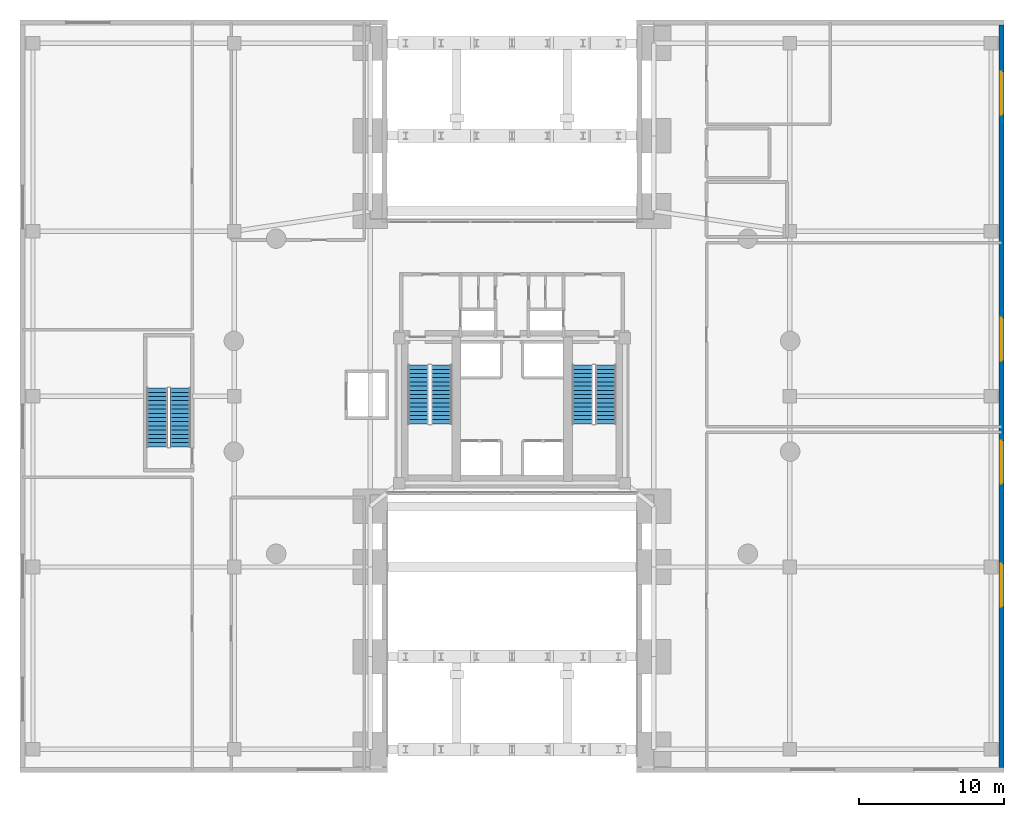
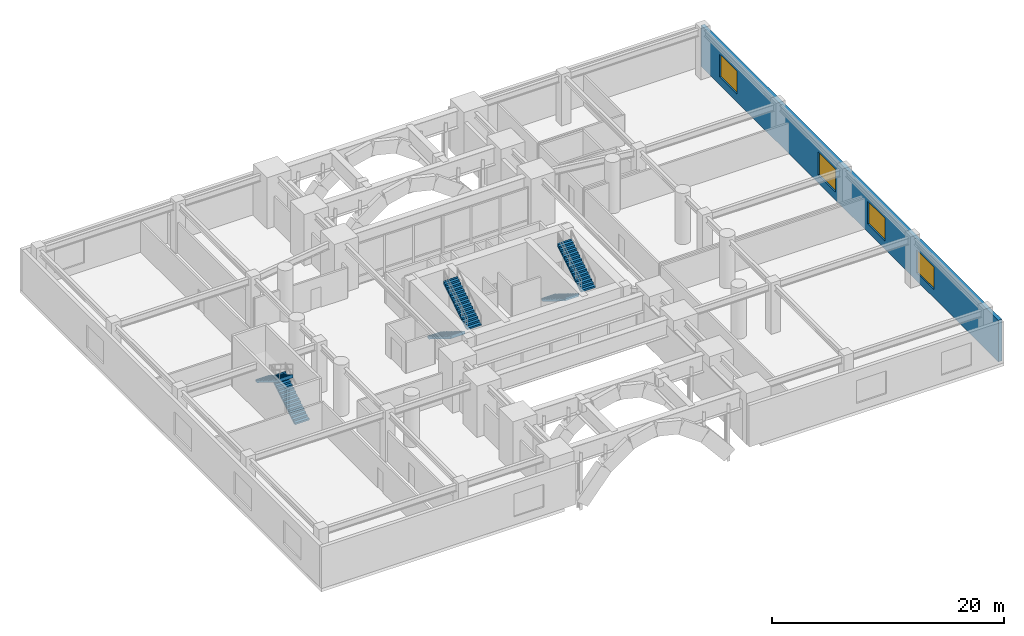
# One storey, part 16 of 18: 6 stair flights, 4 windows, 1 wall, 4 openings, 3 elements without a shape of their own.
"""IFC4 building model written with IfcOpenShell, lengths in metres."""

from ifc_helpers import new_model, si_unit, direction, frame, frame_2d, origin, place, context, subcontext, project, spatial, polyline, rectangle, outline, extrude, material, layer, layer_set, type_object, element, fill, aggregate, save


model = new_model("IFC4")

# Units and contexts
model_context = context("Model", 3, precision=1e-05, world=origin(), true_north=direction((0.0, 1.0)))
body_context = subcontext(model_context, "Body", "Model", "MODEL_VIEW")
ifc_project = project(units=[si_unit("LENGTHUNIT", "METRE"), si_unit("AREAUNIT", "SQUARE_METRE"), si_unit("VOLUMEUNIT", "CUBIC_METRE"), si_unit("PLANEANGLEUNIT", "RADIAN"), si_unit("MASSUNIT", "GRAM", prefix="KILO"), si_unit("THERMODYNAMICTEMPERATUREUNIT", "KELVIN"), si_unit("POWERUNIT", "WATT")], contexts=[model_context])

# Site, building, storey
site_placement = place(None, origin())
site = spatial("IfcSite", under=ifc_project, at=site_placement, CompositionType="ELEMENT")
building_placement = place(site_placement, origin())
building = spatial("IfcBuilding", under=site, at=building_placement, Name="Ocrelia Relay Tower", CompositionType="ELEMENT")
storey_placement = place(building_placement, frame((0.0, 0.0, 10.199951171875)))
storey = spatial("IfcBuildingStorey", under=building, at=storey_placement, Name="L02", CompositionType="ELEMENT", Elevation=10.199951171875)

# Wall, openings, windows
ifc_material_1 = material(Name="Precast concrete C40/50 with oxide terracotta", Category="masonry")
ifc_layer = layer(ifc_material_1, 0.35009765625, Name="Precast concrete C40/50 with oxide terracotta")
ifc_layer_set = layer_set([ifc_layer], Name="Precast concrete C40/50 with oxide terracotta")
wall_type = type_object("IfcWallType", Name="W-EXT-POD-350", PredefinedType="SOLIDWALL", material=ifc_layer_set)
wall_placement = place(storey_placement, frame((67.820068359375, 51.639892578125, 0.0), z_axis=(0.0, 0.0, 1.0), x_axis=(0.0, -1.0, 0.0)))
wall = element("IfcWall", 1, at=wall_placement, inside=storey, type_object=wall_type, Name="L02 Oxide Terracotta Podium Wall EE", PredefinedType="SOLIDWALL", context=body_context, shape_type="SweptSolid", body=[
    extrude(rectangle(XDim=51.27978515625, YDim=0.35009765625, at=frame_2d((25.639892578125, 0.0))), origin(), (0.0, 0.0, 1.0), 4.360107421875),
])
opening_1_placement = place(wall_placement, frame((3.199951171875, 0.0, 0.85009765625)))
opening_1 = element("IfcOpeningElement", 2, at=opening_1_placement, cuts=wall, Name="Opening W-05", PredefinedType="OPENING", context=body_context, shape_type="SweptSolid", body=[
    extrude(rectangle(XDim=3.0, YDim=2.39990234375, at=frame_2d((1.5, 1.199951171875))), frame((0.0, 0.18505859375, 0.0), z_axis=(0.0, -1.0, 0.0), x_axis=(1.0, 0.0, 0.0)), (0.0, 0.0, 1.0), 0.3701171875),
])
opening_2_placement = place(wall_placement, frame((20.199951171875, 0.0, 0.85009765625)))
opening_2 = element("IfcOpeningElement", 3, at=opening_2_placement, cuts=wall, Name="Opening W-05", PredefinedType="OPENING", context=body_context, shape_type="SweptSolid", body=[
    extrude(rectangle(XDim=3.0, YDim=2.39990234375, at=frame_2d((1.5, 1.199951171875))), frame((0.0, 0.18505859375, 0.0), z_axis=(0.0, -1.0, 0.0), x_axis=(1.0, 0.0, 0.0)), (0.0, 0.0, 1.0), 0.3701171875),
])
opening_3_placement = place(wall_placement, frame((28.699951171875, 0.0, 0.85009765625)))
opening_3 = element("IfcOpeningElement", 4, at=opening_3_placement, cuts=wall, Name="Opening W-05", PredefinedType="OPENING", context=body_context, shape_type="SweptSolid", body=[
    extrude(rectangle(XDim=3.0, YDim=2.39990234375, at=frame_2d((1.5, 1.199951171875))), frame((0.0, 0.18505859375, 0.0), z_axis=(0.0, -1.0, 0.0), x_axis=(1.0, 0.0, 0.0)), (0.0, 0.0, 1.0), 0.3701171875),
])
opening_4_placement = place(wall_placement, frame((37.199951171875, 0.0, 0.85009765625)))
opening_4 = element("IfcOpeningElement", 5, at=opening_4_placement, cuts=wall, Name="Opening W-05", PredefinedType="OPENING", context=body_context, shape_type="SweptSolid", body=[
    extrude(rectangle(XDim=3.0, YDim=2.39990234375, at=frame_2d((1.5, 1.199951171875))), frame((0.0, 0.18505859375, 0.0), z_axis=(0.0, -1.0, 0.0), x_axis=(1.0, 0.0, 0.0)), (0.0, 0.0, 1.0), 0.3701171875),
])
ifc_material_2 = material(Name="Clear double-glazed low-E glass", Category="glass")
window_type = type_object("IfcWindowType", Name="WIN-POD-3000x2600", PartitioningType="DOUBLE_PANEL_VERTICAL", PredefinedType="WINDOW", material=ifc_material_2)
window_1_placement = place(opening_1_placement, origin())
window_1 = element("IfcWindow", 6, at=window_1_placement, inside=storey, type_object=window_type, Name="L02 Podium Punched Window EE-1", OverallHeight=2.39990234375, OverallWidth=3.0, PartitioningType="SINGLE_PANEL", PredefinedType="WINDOW", context=body_context, shape_type="SweptSolid", body=[
    extrude(rectangle(XDim=3.0, YDim=2.39990234375, at=frame_2d((1.5, 1.199951171875))), frame((0.0, 0.030029296875, 0.0), z_axis=(0.0, -1.0, 0.0), x_axis=(1.0, 0.0, 0.0)), (0.0, 0.0, 1.0), 0.06005859375),
])
fill(opening_1, window_1)
window_2_placement = place(opening_2_placement, origin())
window_2 = element("IfcWindow", 7, at=window_2_placement, inside=storey, type_object=window_type, Name="L02 Podium Punched Window EE-3", OverallHeight=2.39990234375, OverallWidth=3.0, PartitioningType="SINGLE_PANEL", PredefinedType="WINDOW", context=body_context, shape_type="SweptSolid", body=[
    extrude(rectangle(XDim=3.0, YDim=2.39990234375, at=frame_2d((1.5, 1.199951171875))), frame((0.0, 0.030029296875, 0.0), z_axis=(0.0, -1.0, 0.0), x_axis=(1.0, 0.0, 0.0)), (0.0, 0.0, 1.0), 0.06005859375),
])
fill(opening_2, window_2)
window_3_placement = place(opening_3_placement, origin())
window_3 = element("IfcWindow", 8, at=window_3_placement, inside=storey, type_object=window_type, Name="L02 Podium Punched Window EE-4", OverallHeight=2.39990234375, OverallWidth=3.0, PartitioningType="SINGLE_PANEL", PredefinedType="WINDOW", context=body_context, shape_type="SweptSolid", body=[
    extrude(rectangle(XDim=3.0, YDim=2.39990234375, at=frame_2d((1.5, 1.199951171875))), frame((0.0, 0.030029296875, 0.0), z_axis=(0.0, -1.0, 0.0), x_axis=(1.0, 0.0, 0.0)), (0.0, 0.0, 1.0), 0.06005859375),
])
fill(opening_3, window_3)
window_4_placement = place(opening_4_placement, origin())
window_4 = element("IfcWindow", 9, at=window_4_placement, inside=storey, type_object=window_type, Name="L02 Podium Punched Window EE-5", OverallHeight=2.39990234375, OverallWidth=3.0, PartitioningType="SINGLE_PANEL", PredefinedType="WINDOW", context=body_context, shape_type="SweptSolid", body=[
    extrude(rectangle(XDim=3.0, YDim=2.39990234375, at=frame_2d((1.5, 1.199951171875))), frame((0.0, 0.030029296875, 0.0), z_axis=(0.0, -1.0, 0.0), x_axis=(1.0, 0.0, 0.0)), (0.0, 0.0, 1.0), 0.06005859375),
])
fill(opening_4, window_4)

# Stair, stair flights
ifc_material_3 = material(Name="Concrete C50/60", Category="concrete")
stair_type = type_object("IfcStairType", Name="ST-DL-1420-R180", PredefinedType="HALF_TURN_STAIR", material=ifc_material_3)
stair_1_placement = place(storey_placement, origin())
stair_1 = element("IfcStair", 10, at=stair_1_placement, inside=storey, type_object=stair_type, Name="L02 West Core Exit Stair ST1", PredefinedType="HALF_TURN_STAIR")
stair_flight_type = type_object("IfcStairFlightType", Name="STF-DL-1420-R180", PredefinedType="STRAIGHT", material=ifc_material_3)
stair_flight_1_placement = place(storey_placement, frame((27.52001953125, 28.14990234375, 0.0), z_axis=(0.0, 0.0, 1.0), x_axis=(0.0, -1.0, 0.0)))
stair_flight_1 = element("IfcStairFlight", 11, at=stair_flight_1_placement, type_object=stair_flight_type, Name="ST1 flight 1", NumberOfRisers=15, NumberOfTreads=14, PredefinedType="STRAIGHT", RiserHeight=0.18, TreadLength=0.29, context=body_context, shape_type="SweptSolid", body=[
    extrude(outline(polyline([(-0.008056640625, 0.0), (-0.008056640625, 0.179931640625), (0.0, 0.179931640625), (0.2900390625, 0.179931640625), (0.2900390625, 0.360107421875), (0.580078125, 0.360107421875), (0.580078125, 0.5400390625), (0.8701171875, 0.5400390625), (0.8701171875, 0.719970703125), (1.159912109375, 0.719970703125), (1.159912109375, 0.89990234375), (1.449951171875, 0.89990234375), (1.449951171875, 1.080078125), (1.739990234375, 1.080078125), (1.739990234375, 1.260009765625), (2.030029296875, 1.260009765625), (2.030029296875, 1.43994140625), (2.320068359375, 1.43994140625), (2.320068359375, 1.6201171875), (2.610107421875, 1.6201171875), (2.610107421875, 1.800048828125), (2.89990234375, 1.800048828125), (2.89990234375, 1.97998046875), (3.18994140625, 1.97998046875), (3.18994140625, 2.159912109375), (3.47998046875, 2.159912109375), (3.47998046875, 2.340087890625), (3.77001953125, 2.340087890625), (3.77001953125, 2.52001953125), (4.06005859375, 2.52001953125), (4.06005859375, 2.699951171875), (4.068115234375, 2.699951171875), (4.068115234375, 2.343505859375), (0.2841796875, 0.0), (-0.008056640625, 0.0)])), frame((0.0, 0.7099609375, 0.0), z_axis=(0.0, -1.0, 0.0), x_axis=(1.0, 0.0, 0.0)), (0.0, 0.0, 1.0), 1.419921875),
])
stair_flight_2_placement = place(storey_placement, frame((29.139892578125, 24.090087890625, 2.699951171875), z_axis=(0.0, 0.0, 1.0), x_axis=(0.0, 1.0, 0.0)))
stair_flight_2 = element("IfcStairFlight", 12, at=stair_flight_2_placement, type_object=stair_flight_type, Name="ST1 flight 2", NumberOfRisers=15, NumberOfTreads=14, PredefinedType="STRAIGHT", RiserHeight=0.18, TreadLength=0.29, context=body_context, shape_type="SweptSolid", body=[
    extrude(outline(polyline([(-0.008056640625, 0.0), (-0.008056640625, 0.179931640625), (0.0, 0.179931640625), (0.2900390625, 0.179931640625), (0.2900390625, 0.360107421875), (0.580078125, 0.360107421875), (0.580078125, 0.5400390625), (0.8701171875, 0.5400390625), (0.8701171875, 0.719970703125), (1.159912109375, 0.719970703125), (1.159912109375, 0.89990234375), (1.449951171875, 0.89990234375), (1.449951171875, 1.080078125), (1.739990234375, 1.080078125), (1.739990234375, 1.260009765625), (2.030029296875, 1.260009765625), (2.030029296875, 1.43994140625), (2.320068359375, 1.43994140625), (2.320068359375, 1.6201171875), (2.610107421875, 1.6201171875), (2.610107421875, 1.800048828125), (2.89990234375, 1.800048828125), (2.89990234375, 1.97998046875), (3.18994140625, 1.97998046875), (3.18994140625, 2.159912109375), (3.47998046875, 2.159912109375), (3.47998046875, 2.340087890625), (3.77001953125, 2.340087890625), (3.77001953125, 2.52001953125), (4.06005859375, 2.52001953125), (4.06005859375, 2.699951171875), (4.068115234375, 2.699951171875), (4.068115234375, 2.343505859375), (0.2841796875, 0.0), (-0.008056640625, 0.0)])), frame((0.0, 0.7099609375, 0.0), z_axis=(0.0, -1.0, 0.0), x_axis=(1.0, 0.0, 0.0)), (0.0, 0.0, 1.0), 1.419921875),
])
aggregate(stair_1, [stair_flight_1, stair_flight_2])

stair_2_placement = place(storey_placement, origin())
stair_2 = element("IfcStair", 13, at=stair_2_placement, inside=storey, type_object=stair_type, Name="L02 East Core Exit Stair ST2", PredefinedType="HALF_TURN_STAIR")
stair_flight_3_placement = place(storey_placement, frame((38.8701171875, 28.14990234375, 0.0), z_axis=(0.0, 0.0, 1.0), x_axis=(0.0, -1.0, 0.0)))
stair_flight_3 = element("IfcStairFlight", 14, at=stair_flight_3_placement, type_object=stair_flight_type, Name="ST2 flight 1", NumberOfRisers=15, NumberOfTreads=14, PredefinedType="STRAIGHT", RiserHeight=0.18, TreadLength=0.29, context=body_context, shape_type="SweptSolid", body=[
    extrude(outline(polyline([(-0.008056640625, 0.0), (-0.008056640625, 0.179931640625), (0.0, 0.179931640625), (0.2900390625, 0.179931640625), (0.2900390625, 0.360107421875), (0.580078125, 0.360107421875), (0.580078125, 0.5400390625), (0.8701171875, 0.5400390625), (0.8701171875, 0.719970703125), (1.159912109375, 0.719970703125), (1.159912109375, 0.89990234375), (1.449951171875, 0.89990234375), (1.449951171875, 1.080078125), (1.739990234375, 1.080078125), (1.739990234375, 1.260009765625), (2.030029296875, 1.260009765625), (2.030029296875, 1.43994140625), (2.320068359375, 1.43994140625), (2.320068359375, 1.6201171875), (2.610107421875, 1.6201171875), (2.610107421875, 1.800048828125), (2.89990234375, 1.800048828125), (2.89990234375, 1.97998046875), (3.18994140625, 1.97998046875), (3.18994140625, 2.159912109375), (3.47998046875, 2.159912109375), (3.47998046875, 2.340087890625), (3.77001953125, 2.340087890625), (3.77001953125, 2.52001953125), (4.06005859375, 2.52001953125), (4.06005859375, 2.699951171875), (4.068115234375, 2.699951171875), (4.068115234375, 2.343505859375), (0.2841796875, 0.0), (-0.008056640625, 0.0)])), frame((0.0, 0.7099609375, 0.0), z_axis=(0.0, -1.0, 0.0), x_axis=(1.0, 0.0, 0.0)), (0.0, 0.0, 1.0), 1.419921875),
])
stair_flight_4_placement = place(storey_placement, frame((40.489990234375, 24.090087890625, 2.699951171875), z_axis=(0.0, 0.0, 1.0), x_axis=(0.0, 1.0, 0.0)))
stair_flight_4 = element("IfcStairFlight", 15, at=stair_flight_4_placement, type_object=stair_flight_type, Name="ST2 flight 2", NumberOfRisers=15, NumberOfTreads=14, PredefinedType="STRAIGHT", RiserHeight=0.18, TreadLength=0.29, context=body_context, shape_type="SweptSolid", body=[
    extrude(outline(polyline([(-0.008056640625, 0.0), (-0.008056640625, 0.179931640625), (0.0, 0.179931640625), (0.2900390625, 0.179931640625), (0.2900390625, 0.360107421875), (0.580078125, 0.360107421875), (0.580078125, 0.5400390625), (0.8701171875, 0.5400390625), (0.8701171875, 0.719970703125), (1.159912109375, 0.719970703125), (1.159912109375, 0.89990234375), (1.449951171875, 0.89990234375), (1.449951171875, 1.080078125), (1.739990234375, 1.080078125), (1.739990234375, 1.260009765625), (2.030029296875, 1.260009765625), (2.030029296875, 1.43994140625), (2.320068359375, 1.43994140625), (2.320068359375, 1.6201171875), (2.610107421875, 1.6201171875), (2.610107421875, 1.800048828125), (2.89990234375, 1.800048828125), (2.89990234375, 1.97998046875), (3.18994140625, 1.97998046875), (3.18994140625, 2.159912109375), (3.47998046875, 2.159912109375), (3.47998046875, 2.340087890625), (3.77001953125, 2.340087890625), (3.77001953125, 2.52001953125), (4.06005859375, 2.52001953125), (4.06005859375, 2.699951171875), (4.068115234375, 2.699951171875), (4.068115234375, 2.343505859375), (0.2841796875, 0.0), (-0.008056640625, 0.0)])), frame((0.0, 0.7099609375, 0.0), z_axis=(0.0, -1.0, 0.0), x_axis=(1.0, 0.0, 0.0)), (0.0, 0.0, 1.0), 1.419921875),
])
aggregate(stair_2, [stair_flight_3, stair_flight_4])

stair_3_placement = place(storey_placement, origin())
stair_3 = element("IfcStair", 16, at=stair_3_placement, inside=storey, type_object=stair_type, Name="L02 Podium West Exit Stair ST3", PredefinedType="HALF_TURN_STAIR")
stair_flight_5_placement = place(storey_placement, frame((11.090087890625, 22.5, 0.0), z_axis=(0.0, 0.0, 1.0), x_axis=(0.0, 1.0, 0.0)))
stair_flight_5 = element("IfcStairFlight", 17, at=stair_flight_5_placement, type_object=stair_flight_type, Name="ST3 flight 1", NumberOfRisers=15, NumberOfTreads=14, PredefinedType="STRAIGHT", RiserHeight=0.18, TreadLength=0.29, context=body_context, shape_type="SweptSolid", body=[
    extrude(outline(polyline([(-0.008056640625, 0.0), (-0.008056640625, 0.179931640625), (0.0, 0.179931640625), (0.2900390625, 0.179931640625), (0.2900390625, 0.360107421875), (0.580078125, 0.360107421875), (0.580078125, 0.5400390625), (0.8701171875, 0.5400390625), (0.8701171875, 0.719970703125), (1.159912109375, 0.719970703125), (1.159912109375, 0.89990234375), (1.449951171875, 0.89990234375), (1.449951171875, 1.080078125), (1.739990234375, 1.080078125), (1.739990234375, 1.260009765625), (2.030029296875, 1.260009765625), (2.030029296875, 1.43994140625), (2.320068359375, 1.43994140625), (2.320068359375, 1.6201171875), (2.610107421875, 1.6201171875), (2.610107421875, 1.800048828125), (2.89990234375, 1.800048828125), (2.89990234375, 1.97998046875), (3.18994140625, 1.97998046875), (3.18994140625, 2.159912109375), (3.47998046875, 2.159912109375), (3.47998046875, 2.340087890625), (3.77001953125, 2.340087890625), (3.77001953125, 2.52001953125), (4.06005859375, 2.52001953125), (4.06005859375, 2.699951171875), (4.068115234375, 2.699951171875), (4.068115234375, 2.343505859375), (0.2841796875, 0.0), (-0.008056640625, 0.0)])), frame((0.0, 0.7099609375, 0.0), z_axis=(0.0, -1.0, 0.0), x_axis=(1.0, 0.0, 0.0)), (0.0, 0.0, 1.0), 1.419921875),
])
stair_flight_6_placement = place(storey_placement, frame((9.469970703125, 26.56005859375, 2.699951171875), z_axis=(0.0, 0.0, 1.0), x_axis=(0.0, -1.0, 0.0)))
stair_flight_6 = element("IfcStairFlight", 18, at=stair_flight_6_placement, type_object=stair_flight_type, Name="ST3 flight 2", NumberOfRisers=15, NumberOfTreads=14, PredefinedType="STRAIGHT", RiserHeight=0.18, TreadLength=0.29, context=body_context, shape_type="SweptSolid", body=[
    extrude(outline(polyline([(-0.008056640625, 0.0), (-0.008056640625, 0.179931640625), (0.0, 0.179931640625), (0.2900390625, 0.179931640625), (0.2900390625, 0.360107421875), (0.580078125, 0.360107421875), (0.580078125, 0.5400390625), (0.8701171875, 0.5400390625), (0.8701171875, 0.719970703125), (1.159912109375, 0.719970703125), (1.159912109375, 0.89990234375), (1.449951171875, 0.89990234375), (1.449951171875, 1.080078125), (1.739990234375, 1.080078125), (1.739990234375, 1.260009765625), (2.030029296875, 1.260009765625), (2.030029296875, 1.43994140625), (2.320068359375, 1.43994140625), (2.320068359375, 1.6201171875), (2.610107421875, 1.6201171875), (2.610107421875, 1.800048828125), (2.89990234375, 1.800048828125), (2.89990234375, 1.97998046875), (3.18994140625, 1.97998046875), (3.18994140625, 2.159912109375), (3.47998046875, 2.159912109375), (3.47998046875, 2.340087890625), (3.77001953125, 2.340087890625), (3.77001953125, 2.52001953125), (4.06005859375, 2.52001953125), (4.06005859375, 2.699951171875), (4.068115234375, 2.699951171875), (4.068115234375, 2.343505859375), (0.2841796875, 0.0), (-0.008056640625, 0.0)])), frame((0.0, 0.7099609375, 0.0), z_axis=(0.0, -1.0, 0.0), x_axis=(1.0, 0.0, 0.0)), (0.0, 0.0, 1.0), 1.419921875),
])
aggregate(stair_3, [stair_flight_5, stair_flight_6])

save(model, "model.ifc")
